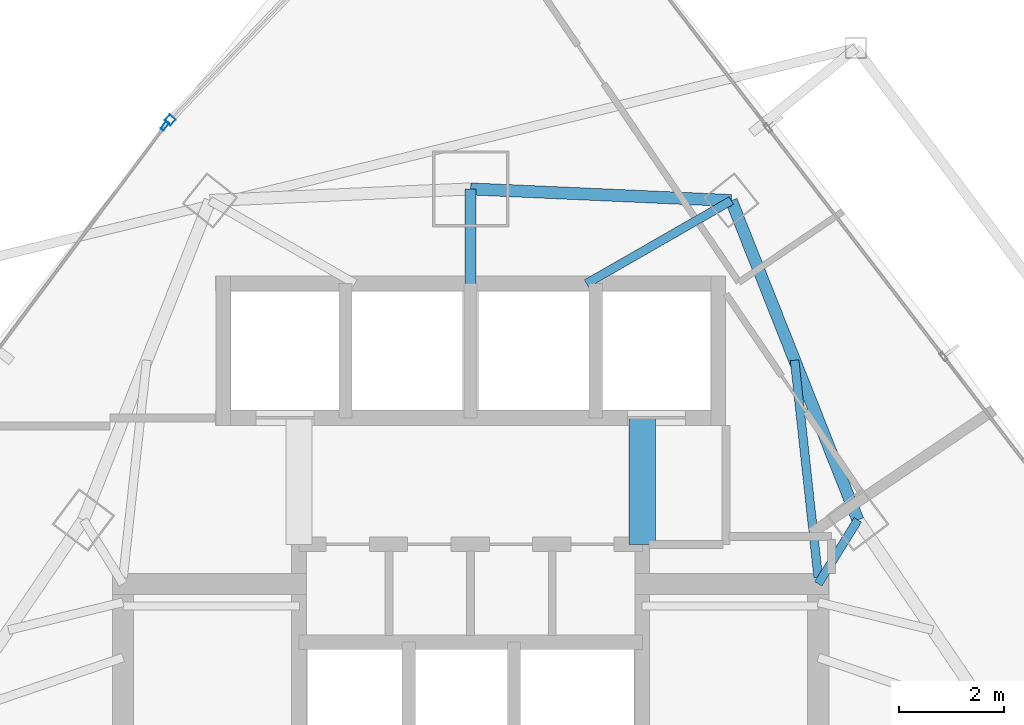
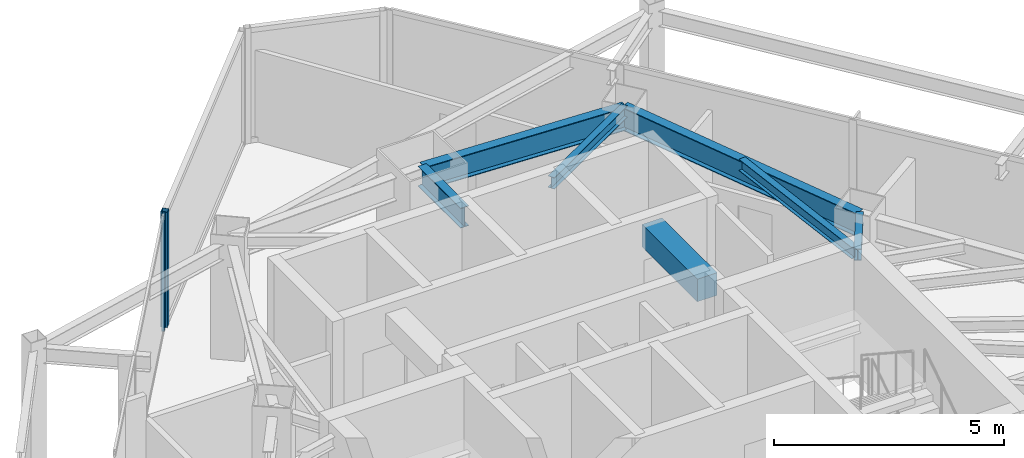
# One storey, part 19 of 29: 7 beams, 2 members, 2 elements without a shape of their own.
"""IFC4 building model written with IfcOpenShell, lengths in metres."""

from ifc_helpers import new_model, si_unit, direction, frame, origin, origin_2d, place, context, subcontext, project, spatial, rectangle, hollow_rectangle, i_section, extrude, material, layer, layer_set, material_profile, profile_set, type_object, element, aggregate, save


model = new_model("IFC4")

# Units and contexts
model_context = context("Model", 3, precision=1e-05, world=origin(), true_north=direction((0.0, 1.0)))
body_context = subcontext(model_context, "Body", "Model", "MODEL_VIEW")
ifc_project = project(units=[si_unit("LENGTHUNIT", "METRE"), si_unit("AREAUNIT", "SQUARE_METRE"), si_unit("VOLUMEUNIT", "CUBIC_METRE"), si_unit("PLANEANGLEUNIT", "RADIAN"), si_unit("MASSUNIT", "GRAM", prefix="KILO")], contexts=[model_context])

# Site, building, storey
site_placement = place(None, origin())
site = spatial("IfcSite", under=ifc_project, at=site_placement, CompositionType="ELEMENT")
building_placement = place(site_placement, origin())
building = spatial("IfcBuilding", under=site, at=building_placement, Name="Orvanel Arch Residences", CompositionType="ELEMENT")
storey_placement = place(building_placement, frame((0.0, 0.0, 160.550048828125)))
storey = spatial("IfcBuildingStorey", under=building, at=storey_placement, Name="L45", CompositionType="ELEMENT", Elevation=160.550048828125)

# Beams
ifc_material_1 = material(Name="Structural steel AS/NZS 3679.1 Grade 300 (300 MPa)", Category="steel")
ifc_material_profile_1 = material_profile(ifc_material_1, i_section(OverallWidth=0.208984375, OverallDepth=0.532958984375, WebThickness=0.01025390625, FlangeThickness=0.015625, at=origin_2d()), Name="530UB92.4")
ifc_profile_set_1 = profile_set([ifc_material_profile_1], Name="Structural steel AS/NZS 3679.1 Grade 300 (300 MPa)")
beam_type_1 = type_object("IfcBeamType", Name="BG-530UB", PredefinedType="BEAM", material=ifc_profile_set_1)
beam_1_placement = place(storey_placement, frame((33.0, 39.550048828125, 2.7939453125), z_axis=(0.0, 1.0, 0.0), x_axis=(-1.0, 0.0, 0.0)))
element("IfcBeam", 1, at=beam_1_placement, inside=storey, type_object=beam_type_1, Name="L45 North Radial Girder", PredefinedType="BEAM", context=body_context, shape_type="SweptSolid", body=[
    extrude(i_section(OverallWidth=0.208984375, OverallDepth=0.532958984375, WebThickness=0.01025390625, FlangeThickness=0.015625, at=origin_2d()), origin(), (0.0, 0.0, 1.0), 1.847900390625),
])
ifc_material_profile_2 = material_profile(ifc_material_1, i_section(OverallWidth=0.1650390625, OverallDepth=0.303955078125, WebThickness=0.006103515625, FlangeThickness=0.01025390625, at=origin_2d()), Name="310UB40.4")
ifc_profile_set_2 = profile_set([ifc_material_profile_2], Name="Structural steel AS/NZS 3679.1 Grade 300 (300 MPa)")
beam_type_2 = type_object("IfcBeamType", Name="BJ-310UB", PredefinedType="JOIST", material=ifc_profile_set_2)
beam_2_placement = place(storey_placement, frame((39.60009765625, 33.89990234375, 2.907958984375), z_axis=(0.526843290616, 0.84996243866, 0.0), x_axis=(-0.84996243866, 0.526843290616, 0.0)))
element("IfcBeam", 2, at=beam_2_placement, inside=storey, type_object=beam_type_2, Name="L45 NNE Wing Floor Joist", PredefinedType="JOIST", context=body_context, shape_type="SweptSolid", body=[
    extrude(i_section(OverallWidth=0.1650390625, OverallDepth=0.303955078125, WebThickness=0.006103515625, FlangeThickness=0.01025390625, at=origin_2d()), origin(), (0.0, 0.0, 1.0), 1.42724609375),
])
beam_3_placement = place(storey_placement, frame((39.60009765625, 34.02001953125, 2.907958984375), z_axis=(-0.108261441852, 0.99412245735, 0.0), x_axis=(-0.99412245735, -0.108261441852, 0.0)))
element("IfcBeam", 3, at=beam_3_placement, inside=storey, type_object=beam_type_2, Name="L45 NNE2 Wing Floor Joist", PredefinedType="JOIST", context=body_context, shape_type="SweptSolid", body=[
    extrude(i_section(OverallWidth=0.1650390625, OverallDepth=0.303955078125, WebThickness=0.006103515625, FlangeThickness=0.01025390625, at=origin_2d()), origin(), (0.0, 0.0, 1.0), 4.1494140625),
])
beam_4_placement = place(storey_placement, frame((35.199951171875, 39.60009765625, 2.907958984375), z_axis=(0.86736513383, 0.497672306458, 0.0), x_axis=(-0.497672306458, 0.86736513383, 0.0)))
element("IfcBeam", 4, at=beam_4_placement, inside=storey, type_object=beam_type_2, Name="L45 MNE Wing Floor Joist", PredefinedType="JOIST", context=body_context, shape_type="SweptSolid", body=[
    extrude(i_section(OverallWidth=0.1650390625, OverallDepth=0.303955078125, WebThickness=0.006103515625, FlangeThickness=0.01025390625, at=origin_2d()), origin(), (0.0, 0.0, 1.0), 3.17041015625),
])
ifc_material_2 = material(Name="Concrete S65 (65 MPa)", Category="concrete")
ifc_material_profile_3 = material_profile(ifc_material_2, rectangle(XDim=0.5, YDim=0.60009765625, at=origin_2d()), Name="RC500x600")
ifc_profile_set_3 = profile_set([ifc_material_profile_3], Name="Concrete S65 (65 MPa)")
beam_type_3 = type_object("IfcBeamType", Name="CB-500x600", PredefinedType="LINTEL", material=ifc_profile_set_3)
beam_5_placement = place(storey_placement, frame((36.260009765625, 34.64990234375, 2.760009765625), z_axis=(0.0, 1.0, 0.0), x_axis=(-1.0, 0.0, 0.0)))
element("IfcBeam", 5, at=beam_5_placement, inside=storey, type_object=beam_type_3, Name="L45 East Core Lobby Coupling Lintel Beam", PredefinedType="LINTEL", context=body_context, shape_type="SweptSolid", body=[
    extrude(rectangle(XDim=0.5, YDim=0.60009765625, at=origin_2d()), origin(), (0.0, 0.0, 1.0), 2.400146484375),
])

# Curtain wall, member
ifc_material_3 = material(Name="Bronze-anodised aluminium AA6063-T6", Category="aluminium")
ifc_layer_1 = layer(ifc_material_3, 0.18994140625)
ifc_layer_set_1 = layer_set([ifc_layer_1], Name="Bronze-anodised aluminium AA6063-T6")
curtain_wall_type_1 = type_object("IfcCurtainWallType", Name="CW5-CRN-SYS", PredefinedType="NOTDEFINED", material=ifc_layer_set_1)
curtain_wall_1_placement = place(storey_placement, origin())
curtain_wall_1 = element("IfcCurtainWall", 6, at=curtain_wall_1_placement, inside=storey, type_object=curtain_wall_type_1, Name="L45 CW5-CRN-SYS Unitised Curtain Wall", PredefinedType="NOTDEFINED")
ifc_material_profile_4 = material_profile(ifc_material_3, hollow_rectangle(XDim=0.14990234375, YDim=0.14990234375, WallThickness=0.0048828125, at=origin_2d()), Name="ALU150x150x5")
ifc_profile_set_4 = profile_set([ifc_material_profile_4], Name="Bronze-anodised aluminium AA6063-T6")
member_type_1 = type_object("IfcMemberType", Name="MUL-150x150", PredefinedType="MULLION", material=ifc_profile_set_4)
member_1_placement = place(storey_placement, frame((27.29296875, 42.708251953125, 0.0), z_axis=(0.0, 0.0, 1.0), x_axis=(0.72235820669, -0.69151906787, 0.0)))
member_1 = element("IfcMember", 7, at=member_1_placement, type_object=member_type_1, Name="CW-S5 mullion 2", PredefinedType="MULLION", context=body_context, shape_type="SweptSolid", body=[
    extrude(hollow_rectangle(XDim=0.14990234375, YDim=0.14990234375, WallThickness=0.0048828125, at=origin_2d()), origin(), (0.0, 0.0, 1.0), 3.06005859375),
])
aggregate(curtain_wall_1, [member_1])

ifc_layer_2 = layer(ifc_material_3, 0.179931640625)
ifc_layer_set_2 = layer_set([ifc_layer_2], Name="Bronze-anodised aluminium AA6063-T6")
curtain_wall_type_2 = type_object("IfcCurtainWallType", Name="CW3-MID-SYS", PredefinedType="NOTDEFINED", material=ifc_layer_set_2)
curtain_wall_2_placement = place(storey_placement, origin())
curtain_wall_2 = element("IfcCurtainWall", 8, at=curtain_wall_2_placement, inside=storey, type_object=curtain_wall_type_2, Name="L45 CW3-MID-SYS Unitised Curtain Wall", PredefinedType="NOTDEFINED")
ifc_material_profile_5 = material_profile(ifc_material_3, hollow_rectangle(XDim=0.070068359375, YDim=0.179931640625, WallThickness=0.00439453125, at=origin_2d()), Name="ALU180x70x4.5")
ifc_profile_set_5 = profile_set([ifc_material_profile_5], Name="Bronze-anodised aluminium AA6063-T6")
member_type_2 = type_object("IfcMemberType", Name="MUL-180x70", PredefinedType="MULLION", material=ifc_profile_set_5)
member_2_placement = place(storey_placement, frame((27.194091796875, 42.595947265625, 0.0), z_axis=(0.0, 0.0, 1.0), x_axis=(0.801448180864, -0.598064221794, 0.0)))
member_2 = element("IfcMember", 9, at=member_2_placement, type_object=member_type_2, Name="CW-S3 mullion 1", PredefinedType="MULLION", context=body_context, shape_type="SweptSolid", body=[
    extrude(hollow_rectangle(XDim=0.070068359375, YDim=0.179931640625, WallThickness=0.00439453125, at=origin_2d()), origin(), (0.0, 0.0, 1.0), 3.06005859375),
])
aggregate(curtain_wall_2, [member_2])

# Beams
ifc_material_profile_6 = material_profile(ifc_material_1, i_section(OverallWidth=0.22900390625, OverallDepth=0.612060546875, WebThickness=0.011962890625, FlangeThickness=0.01953125, at=origin_2d()), Name="610UB125")
ifc_profile_set_6 = profile_set([ifc_material_profile_6], Name="Structural steel AS/NZS 3679.1 Grade 300 (300 MPa)")
beam_type_4 = type_object("IfcBeamType", Name="SP-610UB", PredefinedType="SPANDREL", material=ifc_profile_set_6)
beam_6_placement = place(storey_placement, frame((40.35205078125, 35.113037109375, 2.75390625), z_axis=(-0.368233143579, 0.929733484376, 0.0), x_axis=(-0.929733484376, -0.368233143579, 0.0)))
element("IfcBeam", 10, at=beam_6_placement, inside=storey, type_object=beam_type_4, Name="L45 Perimeter Spandrel Beam 13", PredefinedType="SPANDREL", context=body_context, shape_type="SweptSolid", body=[
    extrude(i_section(OverallWidth=0.22900390625, OverallDepth=0.612060546875, WebThickness=0.011962890625, FlangeThickness=0.01953125, at=origin_2d()), origin(), (0.0, 0.0, 1.0), 6.523193359375),
])
beam_7_placement = place(storey_placement, frame((37.949951171875, 41.177978515625, 2.75390625), z_axis=(-0.999014049296, 0.044395149614, 0.0), x_axis=(-0.044395149614, -0.999014049296, 0.0)))
element("IfcBeam", 11, at=beam_7_placement, inside=storey, type_object=beam_type_4, Name="L45 Perimeter Spandrel Beam 14", PredefinedType="SPANDREL", context=body_context, shape_type="SweptSolid", body=[
    extrude(i_section(OverallWidth=0.22900390625, OverallDepth=0.612060546875, WebThickness=0.011962890625, FlangeThickness=0.01953125, at=origin_2d()), origin(), (0.0, 0.0, 1.0), 4.954833984375),
])

save(model, "model.ifc")
